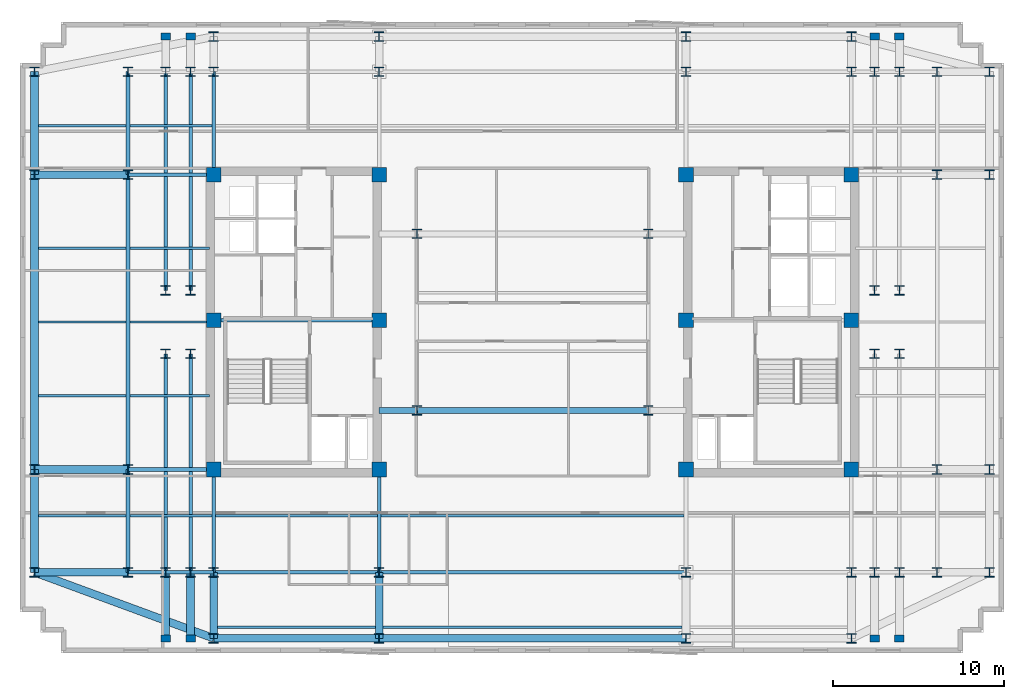
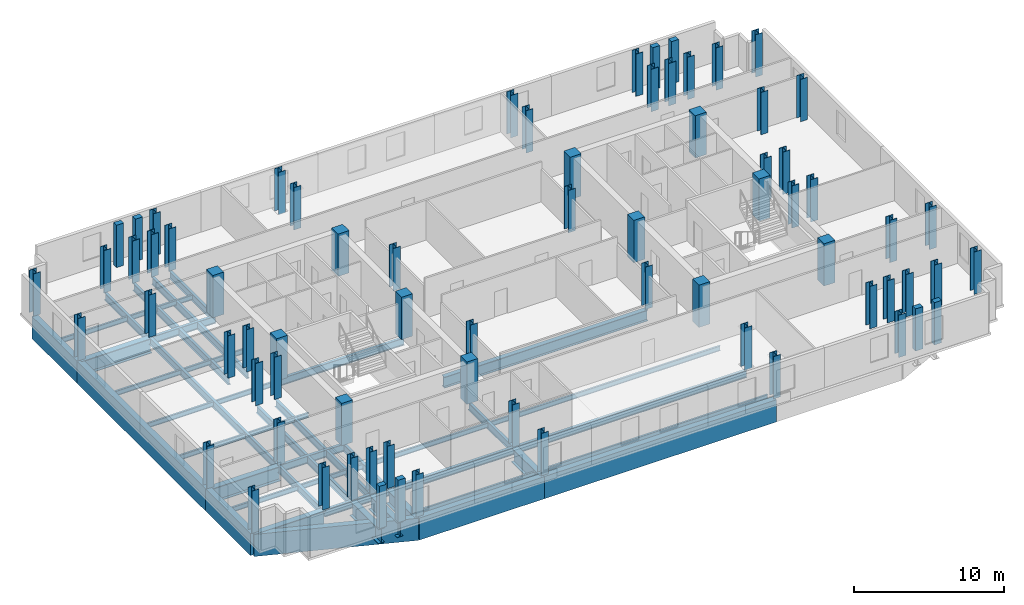
# One storey, part 1 of 9: 72 columns, 45 beams.
"""IFC4 building model written with IfcOpenShell, lengths in metres."""

import ifcopenshell
import ifcopenshell.guid

model = None  # the IFC model being written
_history = None  # IfcOwnerHistory: only IFC2X3 demands one
_inside = {}  # id of a spatial element -> (the spatial element, [elements in it])
_under = {}  # id of a project, library or spatial element -> (it, [spatial elements below it])
_declared = {}  # id of a project -> (the project, [libraries it declares])
_typed = {}  # id of a type object -> (the type object, [elements of that type])
_made_of = {}  # id of a material, layer set ... -> (it, [elements and type objects made of it])


def new_model(schema):
    """Start an empty IFC model of exactly this schema.

    Asked for "IFC4X3", IfcOpenShell would pick the latest addendum, in which some entities
    have other attributes; the version numbers below select the first issue.
    IFC2X3 requires an IfcOwnerHistory on every rooted entity: one is made here for all.
    """
    global model, _history
    if schema == "IFC4X3":
        model = ifcopenshell.file(schema_version=(4, 3, 0, 0))
    else:
        model = ifcopenshell.file(schema=schema)
    _inside.clear()
    _under.clear()
    _declared.clear()
    _typed.clear()
    _made_of.clear()
    _history = None
    if model.schema == "IFC2X3":
        org = make("IfcOrganization", Name="unknown")
        user = make(
            "IfcPersonAndOrganization",
            ThePerson=make("IfcPerson", FamilyName="unknown"),
            TheOrganization=org,
        )
        app = make(
            "IfcApplication",
            ApplicationDeveloper=org,
            Version="unknown",
            ApplicationFullName="unknown",
            ApplicationIdentifier="unknown",
        )
        _history = make(
            "IfcOwnerHistory",
            OwningUser=user,
            OwningApplication=app,
            ChangeAction="ADDED",
            CreationDate=0,
        )
    return model


def make(cls, **values):
    """One entity of the class cls with the attributes given. An attribute that is None is left unset."""
    return model.create_entity(
        cls, **{name: value for name, value in values.items() if value is not None}
    )


def rooted(cls, **values):
    """An entity with a GlobalId (a new one), such as an element, a storey or a relation."""
    return make(cls, GlobalId=ifcopenshell.guid.new(), OwnerHistory=_history, **values)


def si_unit(unit_type, name, prefix=None):
    """IfcSIUnit, for example si_unit("LENGTHUNIT", "METRE", prefix="MILLI")."""
    return make("IfcSIUnit", UnitType=unit_type, Prefix=prefix, Name=name)


def assignment(units):
    """IfcUnitAssignment: the units of a project."""
    return None if units is None else make("IfcUnitAssignment", Units=units)


def point(xyz):
    """IfcCartesianPoint."""
    return None if xyz is None else make("IfcCartesianPoint", Coordinates=xyz)


def direction(xyz):
    """IfcDirection."""
    return None if xyz is None else make("IfcDirection", DirectionRatios=xyz)


def frame(location, z_axis=None, x_axis=None):
    """IfcAxis2Placement3D, a coordinate frame: its origin and axes. An axis left out is left unset."""
    return make(
        "IfcAxis2Placement3D",
        Location=point(location),
        Axis=direction(z_axis),
        RefDirection=direction(x_axis),
    )


def frame_2d(location, x_axis=None):
    """IfcAxis2Placement2D, a coordinate frame in the plane: its origin and x axis."""
    return make(
        "IfcAxis2Placement2D", Location=point(location), RefDirection=direction(x_axis)
    )


def origin():
    """The frame at (0, 0, 0) with its axes left unset."""
    return frame((0.0, 0.0, 0.0))


def origin_2d():
    """The frame at (0, 0) in the plane with its x axis left unset."""
    return frame_2d((0.0, 0.0))


def place(relative_to, where):
    """IfcLocalPlacement: puts the frame where relative to a parent placement (None: the world)."""
    return make(
        "IfcLocalPlacement", PlacementRelTo=relative_to, RelativePlacement=where
    )


def context(
    kind, dimensions, precision=None, world=None, true_north=None, identifier=None
):
    """IfcGeometricRepresentationContext, for example the 3D "Model" context."""
    return make(
        "IfcGeometricRepresentationContext",
        ContextIdentifier=identifier,
        ContextType=kind,
        CoordinateSpaceDimension=dimensions,
        Precision=precision,
        WorldCoordinateSystem=world,
        TrueNorth=true_north,
    )


def subcontext(parent, identifier, kind, view, scale=None):
    """IfcGeometricRepresentationSubContext, for example "Body" below "Model"."""
    return make(
        "IfcGeometricRepresentationSubContext",
        ContextIdentifier=identifier,
        ContextType=kind,
        ParentContext=parent,
        TargetScale=scale,
        TargetView=view,
    )


def project(units=None, contexts=None):
    """IfcProject with its units and contexts."""
    return rooted(
        "IfcProject",
        Name="project",
        RepresentationContexts=contexts,
        UnitsInContext=assignment(units),
    )


def spatial(cls, under=None, at=None, **own):
    """A site, building, storey or space (cls), placed at a placement, below another one or the project."""
    s = rooted(cls, ObjectPlacement=at, **own)
    if under is not None:
        _under.setdefault(under.id(), (under, []))[1].append(s)
    return s


def profile(cls, at=None, kind="AREA", **sizes):
    """A parametric profile (cls). Its sizes go by their IFC names, for example OverallWidth=200.0."""
    return make(cls, ProfileType=kind, Position=at, **sizes)


def rectangle(**sizes):
    """IfcRectangleProfileDef."""
    return profile("IfcRectangleProfileDef", **sizes)


def i_section(**sizes):
    """IfcIShapeProfileDef."""
    return profile("IfcIShapeProfileDef", **sizes)


def extrude(swept, where, along, depth):
    """IfcExtrudedAreaSolid: the profile swept, set in the frame where, extruded along a direction by depth."""
    return make(
        "IfcExtrudedAreaSolid",
        SweptArea=swept,
        Position=where,
        ExtrudedDirection=direction(along),
        Depth=depth,
    )


def shape(context_of_items, identifier, shape_type, items):
    """IfcShapeRepresentation: the items that make up one representation, for example the "Body"."""
    return make(
        "IfcShapeRepresentation",
        ContextOfItems=context_of_items,
        RepresentationIdentifier=identifier,
        RepresentationType=shape_type,
        Items=items,
    )


def material(Name=None, Category=None):
    """IfcMaterial."""
    return make("IfcMaterial", Name=Name, Category=Category)


def material_profile(
    of_material, cross_section, Name=None, Category=None, Priority=None
):
    """IfcMaterialProfile: a cross section and its material."""
    return make(
        "IfcMaterialProfile",
        Name=Name,
        Material=of_material,
        Profile=cross_section,
        Priority=Priority,
        Category=Category,
    )


def profile_set(profiles, Name=None, composite=None):
    """IfcMaterialProfileSet."""
    return make(
        "IfcMaterialProfileSet",
        Name=Name,
        MaterialProfiles=profiles,
        CompositeProfile=composite,
    )


def made_of(thing, what):
    """Note that an element or type object is made of a material, layer set ...; save() writes the relation."""
    if what is not None:
        _made_of.setdefault(what.id(), (what, []))[1].append(thing)
    return thing


def type_object(cls, material=None, **own):
    """A type object (cls), such as IfcWallType, which elements share."""
    return made_of(rooted(cls, **own), material)


def element(
    cls,
    number,
    at=None,
    inside=None,
    cuts=None,
    type_object=None,
    material=None,
    context=None,
    identifier="Body",
    shape_type=None,
    held_by="IfcProductDefinitionShape",
    body=None,
    shapes=None,
    **own,
):
    """One element of the class cls, such as IfcWall. Its Tag is "e" and its number.

    at: its placement. inside: the storey or other place that contains it. cuts: it is an
    opening in that element (IfcRelVoidsElement). A single representation is given by context,
    identifier, shape_type and body (its items); several are given by shapes. held_by: the class
    of the entity that holds the representations. save() writes the other relations.
    """
    e = rooted(cls, Tag="e%d" % number, ObjectPlacement=at, **own)
    if body is not None:
        shapes = [shape(context, identifier, shape_type, body)]
    if shapes is not None:
        e.Representation = make(held_by, Representations=shapes)
    if inside is not None:
        _inside.setdefault(inside.id(), (inside, []))[1].append(e)
    if cuts is not None:
        rooted(
            "IfcRelVoidsElement", RelatingBuildingElement=cuts, RelatedOpeningElement=e
        )
    if type_object is not None:
        _typed.setdefault(type_object.id(), (type_object, []))[1].append(e)
    return made_of(e, material)


def aggregate(whole, parts):
    """IfcRelAggregates: a whole, such as a stair, and the parts it consists of."""
    return rooted("IfcRelAggregates", RelatingObject=whole, RelatedObjects=parts)


def save(model, path):
    """Write the relations noted so far, then the file.

    IfcRelAggregates (storeys below a building ...), IfcRelContainedInSpatialStructure (elements
    in a storey), IfcRelDefinesByType, IfcRelAssociatesMaterial and IfcRelDeclares: one each for
    every whole, place, type object, material and project.
    """
    for whole, parts in _under.values():
        aggregate(whole, parts)
    for where, things in _inside.values():
        rooted(
            "IfcRelContainedInSpatialStructure",
            RelatedElements=things,
            RelatingStructure=where,
        )
    for kind, things in _typed.values():
        rooted("IfcRelDefinesByType", RelatedObjects=things, RelatingType=kind)
    for what, things in _made_of.values():
        rooted("IfcRelAssociatesMaterial", RelatedObjects=things, RelatingMaterial=what)
    for by, libraries in _declared.values():
        rooted("IfcRelDeclares", RelatingContext=by, RelatedDefinitions=libraries)
    model.write(path)


model = new_model("IFC4")

# Units and contexts
model_context = context("Model", 3, precision=1e-05, world=origin(), true_north=direction((0.0, 1.0)))
body_context = subcontext(model_context, "Body", "Model", "MODEL_VIEW")
ifc_project = project(units=[si_unit("LENGTHUNIT", "METRE"), si_unit("AREAUNIT", "SQUARE_METRE"), si_unit("VOLUMEUNIT", "CUBIC_METRE"), si_unit("PLANEANGLEUNIT", "RADIAN"), si_unit("MASSUNIT", "GRAM", prefix="KILO")], contexts=[model_context])

# Site, building, storey
site_placement = place(None, origin())
site = spatial("IfcSite", under=ifc_project, at=site_placement, CompositionType="ELEMENT")
building_placement = place(site_placement, origin())
building = spatial("IfcBuilding", under=site, at=building_placement, Name="Velakula Bourse", CompositionType="ELEMENT")
storey_placement = place(building_placement, frame((0.0, 0.0, 208.5)))
storey = spatial("IfcBuildingStorey", under=building, at=storey_placement, Name="L56", CompositionType="ELEMENT", Elevation=208.5)

# Columns
ifc_material_1 = material(Name="Concrete M50 (fck 50 MPa)", Category="concrete")
ifc_material_profile_1 = material_profile(ifc_material_1, rectangle(XDim=0.85009765625, YDim=0.85009765625, at=origin_2d()), Name="Concrete M50 (fck 50 MPa)")
ifc_profile_set_1 = profile_set([ifc_material_profile_1], Name="Concrete M50 (fck 50 MPa)")
column_type_1 = type_object("IfcColumnType", Name="COL-RC-850", PredefinedType="COLUMN", material=ifc_profile_set_1)
for number, where, z_axis, x_axis, name in (
    (1, (-8.949951171875, -8.60009765625, 0.0), (0.0, 0.0, 1.0), (1.0, 0.0, 0.0), "L56 Core Boundary Column 01"),
    (2, (-8.949951171875, 0.10009765625, 0.0), (0.0, 0.0, 1.0), (1.0, 0.0, 0.0), "L56 Core Boundary Column 02"),
    (3, (-8.949951171875, 8.60009765625, 0.0), (0.0, 0.0, 1.0), (1.0, 0.0, 0.0), "L56 Core Boundary Column 03"),
    (4, (-18.60009765625, -8.60009765625, 0.0), (0.0, 0.0, 1.0), (1.0, 0.0, 0.0), "L56 Core Boundary Column 04"),
    (5, (-18.60009765625, 0.10009765625, 0.0), (0.0, 0.0, 1.0), (1.0, 0.0, 0.0), "L56 Core Boundary Column 05"),
    (6, (-18.60009765625, 8.60009765625, 0.0), (0.0, 0.0, 1.0), (1.0, 0.0, 0.0), "L56 Core Boundary Column 06"),
    (7, (8.949951171875, -8.60009765625, 0.0), (0.0, 0.0, 1.0), (1.0, 0.0, 0.0), "L56 Core Boundary Column 07"),
    (8, (8.949951171875, 0.10009765625, 0.0), (0.0, 0.0, 1.0), (1.0, 0.0, 0.0), "L56 Core Boundary Column 08"),
    (9, (8.949951171875, 8.60009765625, 0.0), (0.0, 0.0, 1.0), (1.0, 0.0, 0.0), "L56 Core Boundary Column 09"),
    (10, (18.60009765625, -8.60009765625, 0.0), (0.0, 0.0, 1.0), (1.0, 0.0, 0.0), "L56 Core Boundary Column 10"),
    (11, (18.60009765625, 0.10009765625, 0.0), (0.0, 0.0, 1.0), (1.0, 0.0, 0.0), "L56 Core Boundary Column 11"),
    (12, (18.60009765625, 8.60009765625, 0.0), (0.0, 0.0, 1.0), (1.0, 0.0, 0.0), "L56 Core Boundary Column 12"),
):
    element("IfcColumn", number, at=place(storey_placement, frame(where, z_axis=z_axis, x_axis=x_axis)), inside=storey, type_object=column_type_1, Name=name, PredefinedType="COLUMN", context=body_context, shape_type="SweptSolid", body=[
        extrude(rectangle(XDim=0.85009765625, YDim=0.85009765625, at=origin_2d()), origin(), (0.0, 0.0, 1.0), 3.449951171875),
    ])
ifc_material_2 = material(Name="Steel IS 2062 Grade 350 (E350)", Category="steel")
ifc_material_profile_2 = material_profile(ifc_material_2, i_section(OverallWidth=0.550048828125, OverallDepth=0.550048828125, WebThickness=0.02392578125, FlangeThickness=0.035888671875, at=origin_2d()), Name="Steel IS 2062 Grade 350 (E350)")
ifc_profile_set_2 = profile_set([ifc_material_profile_2], Name="Steel IS 2062 Grade 350 (E350)")
column_type_2 = type_object("IfcColumnType", Name="COL-STL-550", PredefinedType="COLUMN", material=ifc_profile_set_2)
for number, where, z_axis, x_axis, name in (
    (13, (-6.75, -5.14990234375, 0.0), (0.0, 0.0, 1.0), (1.0, 0.0, 0.0), "L56 Central Spine Column 01"),
    (14, (-6.75, 5.14990234375, 0.0), (0.0, 0.0, 1.0), (1.0, 0.0, 0.0), "L56 Central Spine Column 02"),
    (15, (6.75, -5.14990234375, 0.0), (0.0, 0.0, 1.0), (1.0, 0.0, 0.0), "L56 Central Spine Column 03"),
    (16, (6.75, 5.14990234375, 0.0), (0.0, 0.0, 1.0), (1.0, 0.0, 0.0), "L56 Central Spine Column 04"),
    (17, (-21.39990234375, -14.60009765625, 0.0), (0.0, 0.0, 1.0), (1.0, 0.0, 0.0), "L56 Tower Fulcrum Column 01"),
    (18, (-21.39990234375, 14.60009765625, 0.0), (0.0, 0.0, 1.0), (1.0, 0.0, 0.0), "L56 Tower Fulcrum Column 02"),
    (19, (-19.949951171875, -14.60009765625, 0.0), (0.0, 0.0, 1.0), (1.0, 0.0, 0.0), "L56 Tower Fulcrum Column 03"),
    (20, (-19.949951171875, 14.60009765625, 0.0), (0.0, 0.0, 1.0), (1.0, 0.0, 0.0), "L56 Tower Fulcrum Column 04"),
    (21, (-18.60009765625, -14.60009765625, 0.0), (0.0, 0.0, 1.0), (1.0, 0.0, 0.0), "L56 Tower Fulcrum Column 05"),
    (22, (-18.60009765625, 14.60009765625, 0.0), (0.0, 0.0, 1.0), (1.0, 0.0, 0.0), "L56 Tower Fulcrum Column 06"),
    (23, (-8.949951171875, -14.60009765625, 0.0), (0.0, 0.0, 1.0), (1.0, 0.0, 0.0), "L56 Tower Fulcrum Column 07"),
    (24, (-8.949951171875, 14.60009765625, 0.0), (0.0, 0.0, 1.0), (1.0, 0.0, 0.0), "L56 Tower Fulcrum Column 08"),
    (25, (8.949951171875, -14.60009765625, 0.0), (0.0, 0.0, 1.0), (1.0, 0.0, 0.0), "L56 Tower Fulcrum Column 09"),
    (26, (8.949951171875, 14.60009765625, 0.0), (0.0, 0.0, 1.0), (1.0, 0.0, 0.0), "L56 Tower Fulcrum Column 10"),
    (27, (18.60009765625, -14.60009765625, 0.0), (0.0, 0.0, 1.0), (1.0, 0.0, 0.0), "L56 Tower Fulcrum Column 11"),
    (28, (18.60009765625, 14.60009765625, 0.0), (0.0, 0.0, 1.0), (1.0, 0.0, 0.0), "L56 Tower Fulcrum Column 12"),
    (29, (19.949951171875, -14.60009765625, 0.0), (0.0, 0.0, 1.0), (1.0, 0.0, 0.0), "L56 Tower Fulcrum Column 13"),
    (30, (19.949951171875, 14.60009765625, 0.0), (0.0, 0.0, 1.0), (1.0, 0.0, 0.0), "L56 Tower Fulcrum Column 14"),
    (31, (21.39990234375, -14.60009765625, 0.0), (0.0, 0.0, 1.0), (1.0, 0.0, 0.0), "L56 Tower Fulcrum Column 15"),
    (32, (21.39990234375, 14.60009765625, 0.0), (0.0, 0.0, 1.0), (1.0, 0.0, 0.0), "L56 Tower Fulcrum Column 16"),
    (33, (-21.39990234375, -1.85009765625, 0.0), (0.0, 0.0, 1.0), (1.0, 0.0, 0.0), "L56 Tower Fulcrum Column 17"),
    (34, (-21.39990234375, 1.85009765625, 0.0), (0.0, 0.0, 1.0), (1.0, 0.0, 0.0), "L56 Tower Fulcrum Column 18"),
    (35, (-19.949951171875, -1.85009765625, 0.0), (0.0, 0.0, 1.0), (1.0, 0.0, 0.0), "L56 Tower Fulcrum Column 19"),
    (36, (-19.949951171875, 1.85009765625, 0.0), (0.0, 0.0, 1.0), (1.0, 0.0, 0.0), "L56 Tower Fulcrum Column 20"),
    (37, (19.949951171875, -1.85009765625, 0.0), (0.0, 0.0, 1.0), (1.0, 0.0, 0.0), "L56 Tower Fulcrum Column 21"),
    (38, (19.949951171875, 1.85009765625, 0.0), (0.0, 0.0, 1.0), (1.0, 0.0, 0.0), "L56 Tower Fulcrum Column 22"),
    (39, (21.39990234375, -1.85009765625, 0.0), (0.0, 0.0, 1.0), (1.0, 0.0, 0.0), "L56 Tower Fulcrum Column 23"),
    (40, (21.39990234375, 1.85009765625, 0.0), (0.0, 0.0, 1.0), (1.0, 0.0, 0.0), "L56 Tower Fulcrum Column 24"),
    (41, (-23.60009765625, -14.60009765625, 0.0), (0.0, 0.0, 1.0), (1.0, 0.0, 0.0), "L56 Mid-Wing Plumb Column 01"),
    (42, (-23.60009765625, -8.60009765625, 0.0), (0.0, 0.0, 1.0), (1.0, 0.0, 0.0), "L56 Mid-Wing Plumb Column 02"),
    (43, (-23.60009765625, 8.60009765625, 0.0), (0.0, 0.0, 1.0), (1.0, 0.0, 0.0), "L56 Mid-Wing Plumb Column 03"),
    (44, (-23.60009765625, 14.60009765625, 0.0), (0.0, 0.0, 1.0), (1.0, 0.0, 0.0), "L56 Mid-Wing Plumb Column 04"),
    (45, (23.60009765625, -14.60009765625, 0.0), (0.0, 0.0, 1.0), (1.0, 0.0, 0.0), "L56 Mid-Wing Plumb Column 05"),
    (46, (23.60009765625, -8.60009765625, 0.0), (0.0, 0.0, 1.0), (1.0, 0.0, 0.0), "L56 Mid-Wing Plumb Column 06"),
    (47, (23.60009765625, 8.60009765625, 0.0), (0.0, 0.0, 1.0), (1.0, 0.0, 0.0), "L56 Mid-Wing Plumb Column 07"),
    (48, (23.60009765625, 14.60009765625, 0.0), (0.0, 0.0, 1.0), (1.0, 0.0, 0.0), "L56 Mid-Wing Plumb Column 08"),
    (49, (-18.60009765625, -18.449951171875, 0.0), (0.0, 0.0, 1.0), (1.0, 0.0, 0.0), "L56 Block B5 Perimeter Column S1"),
    (50, (-8.949951171875, -18.449951171875, 0.0), (0.0, 0.0, 1.0), (1.0, 0.0, 0.0), "L56 Block B5 Perimeter Column S2"),
    (51, (8.949951171875, -18.449951171875, 0.0), (0.0, 0.0, 1.0), (1.0, 0.0, 0.0), "L56 Block B5 Perimeter Column S3"),
    (52, (18.60009765625, -18.449951171875, 0.0), (0.0, 0.0, 1.0), (1.0, 0.0, 0.0), "L56 Block B5 Perimeter Column S4"),
    (53, (-18.60009765625, 16.64990234375, 0.0), (0.0, 0.0, 1.0), (1.0, 0.0, 0.0), "L56 Block B5 Perimeter Column N1"),
    (54, (-8.949951171875, 16.64990234375, 0.0), (0.0, 0.0, 1.0), (1.0, 0.0, 0.0), "L56 Block B5 Perimeter Column N2"),
    (55, (8.949951171875, 16.64990234375, 0.0), (0.0, 0.0, 1.0), (1.0, 0.0, 0.0), "L56 Block B5 Perimeter Column N3"),
    (56, (18.60009765625, 16.64990234375, 0.0), (0.0, 0.0, 1.0), (1.0, 0.0, 0.0), "L56 Block B5 Perimeter Column N4"),
    (57, (-29.050048828125, -14.60009765625, 0.0), (0.0, 0.0, 1.0), (1.0, 0.0, 0.0), "L56 Block B5 Perimeter Column W1"),
    (58, (-29.050048828125, -8.60009765625, 0.0), (0.0, 0.0, 1.0), (1.0, 0.0, 0.0), "L56 Block B5 Perimeter Column W2"),
    (59, (-29.050048828125, 8.60009765625, 0.0), (0.0, 0.0, 1.0), (1.0, 0.0, 0.0), "L56 Block B5 Perimeter Column W3"),
    (60, (-29.050048828125, 14.60009765625, 0.0), (0.0, 0.0, 1.0), (1.0, 0.0, 0.0), "L56 Block B5 Perimeter Column W4"),
    (61, (26.64990234375, -14.60009765625, 0.0), (0.0, 0.0, 1.0), (1.0, 0.0, 0.0), "L56 Block B5 Perimeter Column E1"),
    (62, (26.64990234375, -8.60009765625, 0.0), (0.0, 0.0, 1.0), (1.0, 0.0, 0.0), "L56 Block B5 Perimeter Column E2"),
    (63, (26.64990234375, 8.60009765625, 0.0), (0.0, 0.0, 1.0), (1.0, 0.0, 0.0), "L56 Block B5 Perimeter Column E3"),
    (64, (26.64990234375, 14.60009765625, 0.0), (0.0, 0.0, 1.0), (1.0, 0.0, 0.0), "L56 Block B5 Perimeter Column E4"),
):
    element("IfcColumn", number, at=place(storey_placement, frame(where, z_axis=z_axis, x_axis=x_axis)), inside=storey, type_object=column_type_2, Name=name, PredefinedType="COLUMN", context=body_context, shape_type="SweptSolid", body=[
        extrude(i_section(OverallWidth=0.550048828125, OverallDepth=0.550048828125, WebThickness=0.02392578125, FlangeThickness=0.035888671875, at=origin_2d()), origin(), (0.0, 0.0, 1.0), 3.449951171875),
    ])
ifc_material_3 = material(Name="Precast concrete M45 (fck 45 MPa)", Category="concrete")
ifc_material_profile_3 = material_profile(ifc_material_3, rectangle(XDim=0.550048828125, YDim=0.39990234375, at=origin_2d()), Name="Precast concrete M45 (fck 45 MPa)")
ifc_profile_set_3 = profile_set([ifc_material_profile_3], Name="Precast concrete M45 (fck 45 MPa)")
column_type_3 = type_object("IfcColumnType", Name="PIL-BRICK-550", PredefinedType="PILASTER", material=ifc_profile_set_3)
for number, where, z_axis, x_axis, name in (
    (65, (-21.39990234375, -18.449951171875, 0.0), (0.0, 0.0, 1.0), (1.0, 0.0, 0.0), "L56 Brick Pier Pilaster 01"),
    (66, (-19.949951171875, -18.449951171875, 0.0), (0.0, 0.0, 1.0), (1.0, 0.0, 0.0), "L56 Brick Pier Pilaster 02"),
    (67, (19.949951171875, -18.449951171875, 0.0), (0.0, 0.0, 1.0), (1.0, 0.0, 0.0), "L56 Brick Pier Pilaster 03"),
    (68, (21.39990234375, -18.449951171875, 0.0), (0.0, 0.0, 1.0), (1.0, 0.0, 0.0), "L56 Brick Pier Pilaster 04"),
    (69, (-21.39990234375, 16.64990234375, 0.0), (0.0, 0.0, 1.0), (1.0, 0.0, 0.0), "L56 Brick Pier Pilaster 05"),
    (70, (-19.949951171875, 16.64990234375, 0.0), (0.0, 0.0, 1.0), (1.0, 0.0, 0.0), "L56 Brick Pier Pilaster 06"),
    (71, (19.949951171875, 16.64990234375, 0.0), (0.0, 0.0, 1.0), (1.0, 0.0, 0.0), "L56 Brick Pier Pilaster 07"),
    (72, (21.39990234375, 16.64990234375, 0.0), (0.0, 0.0, 1.0), (1.0, 0.0, 0.0), "L56 Brick Pier Pilaster 08"),
):
    element("IfcColumn", number, at=place(storey_placement, frame(where, z_axis=z_axis, x_axis=x_axis)), inside=storey, type_object=column_type_3, Name=name, PredefinedType="PILASTER", context=body_context, shape_type="SweptSolid", body=[
        extrude(rectangle(XDim=0.550048828125, YDim=0.39990234375, at=origin_2d()), origin(), (0.0, 0.0, 1.0), 3.449951171875),
    ])

# Beams
ifc_material_profile_4 = material_profile(ifc_material_2, i_section(OverallWidth=0.2099609375, OverallDepth=0.60009765625, WebThickness=0.011962890625, FlangeThickness=0.020751953125, at=origin_2d()), Name="Steel IS 2062 Grade 350 (E350)")
ifc_profile_set_4 = profile_set([ifc_material_profile_4], Name="Steel IS 2062 Grade 350 (E350)")
beam_type_1 = type_object("IfcBeamType", Name="BM-GRD-600L", PredefinedType="BEAM", material=ifc_profile_set_4)
beam_1_placement = place(storey_placement, frame((-18.60009765625, 0.10009765625, -0.47998046875), z_axis=(1.0, 0.0, 0.0), x_axis=(0.0, 1.0, 0.0)))
element("IfcBeam", 73, at=beam_1_placement, inside=storey, type_object=beam_type_1, Name="L56 Primary Backbone Girder CRW-M", PredefinedType="BEAM", context=body_context, shape_type="SweptSolid", body=[
    extrude(i_section(OverallWidth=0.2099609375, OverallDepth=0.60009765625, WebThickness=0.011962890625, FlangeThickness=0.020751953125, at=origin_2d()), origin(), (0.0, 0.0, 1.0), 9.650146484375),
])
for number, where, z_axis, x_axis, name in (
    (74, (-18.60009765625, -14.60009765625, -0.47998046875), (0.0, 1.0, 0.0), (-1.0, 0.0, 0.0), "L56 Fulcrum Grid Girder FLC-WS"),
    (75, (-18.60009765625, 8.60009765625, -0.47998046875), (0.0, 1.0, 0.0), (-1.0, 0.0, 0.0), "L56 Fulcrum Grid Girder FLC-WN"),
    (76, (-8.949951171875, -14.60009765625, -0.47998046875), (0.0, 1.0, 0.0), (-1.0, 0.0, 0.0), "L56 Fulcrum Grid Girder FLC-WCS"),
):
    element("IfcBeam", number, at=place(storey_placement, frame(where, z_axis=z_axis, x_axis=x_axis)), inside=storey, type_object=beam_type_1, Name=name, PredefinedType="BEAM", context=body_context, shape_type="SweptSolid", body=[
        extrude(i_section(OverallWidth=0.2099609375, OverallDepth=0.60009765625, WebThickness=0.011962890625, FlangeThickness=0.020751953125, at=origin_2d()), origin(), (0.0, 0.0, 1.0), 6.0),
    ])
beam_2_placement = place(storey_placement, frame((-18.60009765625, -14.60009765625, -0.47998046875), z_axis=(1.0, 0.0, 0.0), x_axis=(0.0, 1.0, 0.0)))
element("IfcBeam", 77, at=beam_2_placement, inside=storey, type_object=beam_type_1, Name="L56 Fulcrum Grid Girder FLC-S1", PredefinedType="BEAM", context=body_context, shape_type="SweptSolid", body=[
    extrude(i_section(OverallWidth=0.2099609375, OverallDepth=0.60009765625, WebThickness=0.011962890625, FlangeThickness=0.020751953125, at=origin_2d()), origin(), (0.0, 0.0, 1.0), 9.650146484375),
])
beam_3_placement = place(storey_placement, frame((-8.949951171875, -14.60009765625, -0.47998046875), z_axis=(1.0, 0.0, 0.0), x_axis=(0.0, 1.0, 0.0)))
element("IfcBeam", 78, at=beam_3_placement, inside=storey, type_object=beam_type_1, Name="L56 Fulcrum Grid Girder FLC-S2", PredefinedType="BEAM", context=body_context, shape_type="SweptSolid", body=[
    extrude(i_section(OverallWidth=0.2099609375, OverallDepth=0.60009765625, WebThickness=0.011962890625, FlangeThickness=0.020751953125, at=origin_2d()), origin(), (0.0, 0.0, 1.0), 17.89990234375),
])
for number, where, z_axis, x_axis, name in (
    (79, (-21.39990234375, -14.60009765625, -0.47998046875), (0.0, 1.0, 0.0), (-1.0, 0.0, 0.0), "L56 Fulcrum Grid Girder FLC-PSW1"),
    (80, (-21.39990234375, 1.85009765625, -0.47998046875), (0.0, 1.0, 0.0), (-1.0, 0.0, 0.0), "L56 Fulcrum Grid Girder FLC-PNW1"),
    (81, (-19.949951171875, -14.60009765625, -0.47998046875), (0.0, 1.0, 0.0), (-1.0, 0.0, 0.0), "L56 Fulcrum Grid Girder FLC-PSW2"),
    (82, (-19.949951171875, 1.85009765625, -0.47998046875), (0.0, 1.0, 0.0), (-1.0, 0.0, 0.0), "L56 Fulcrum Grid Girder FLC-PNW2"),
):
    element("IfcBeam", number, at=place(storey_placement, frame(where, z_axis=z_axis, x_axis=x_axis)), inside=storey, type_object=beam_type_1, Name=name, PredefinedType="BEAM", context=body_context, shape_type="SweptSolid", body=[
        extrude(i_section(OverallWidth=0.2099609375, OverallDepth=0.60009765625, WebThickness=0.011962890625, FlangeThickness=0.020751953125, at=origin_2d()), origin(), (0.0, 0.0, 1.0), 12.75),
    ])
for number, where, z_axis, x_axis, name in (
    (83, (-23.60009765625, -14.60009765625, -0.47998046875), (1.0, 0.0, 0.0), (0.0, 1.0, 0.0), "L56 Fulcrum Grid Girder MWG-WS1"),
    (84, (-23.60009765625, -8.60009765625, -0.47998046875), (1.0, 0.0, 0.0), (0.0, 1.0, 0.0), "L56 Fulcrum Grid Girder MWG-WS2"),
    (85, (-23.60009765625, 8.60009765625, -0.47998046875), (1.0, 0.0, 0.0), (0.0, 1.0, 0.0), "L56 Fulcrum Grid Girder MWG-WN1"),
):
    element("IfcBeam", number, at=place(storey_placement, frame(where, z_axis=z_axis, x_axis=x_axis)), inside=storey, type_object=beam_type_1, Name=name, PredefinedType="BEAM", context=body_context, shape_type="SweptSolid", body=[
        extrude(i_section(OverallWidth=0.2099609375, OverallDepth=0.60009765625, WebThickness=0.011962890625, FlangeThickness=0.020751953125, at=origin_2d()), origin(), (0.0, 0.0, 1.0), 5.0),
    ])
beam_4_placement = place(storey_placement, frame((-23.60009765625, -14.60009765625, -0.47998046875), z_axis=(0.0, 1.0, 0.0), x_axis=(-1.0, 0.0, 0.0)))
element("IfcBeam", 86, at=beam_4_placement, inside=storey, type_object=beam_type_1, Name="L56 Fulcrum Grid Girder MWG-WNS1", PredefinedType="BEAM", context=body_context, shape_type="SweptSolid", body=[
    extrude(i_section(OverallWidth=0.2099609375, OverallDepth=0.60009765625, WebThickness=0.011962890625, FlangeThickness=0.020751953125, at=origin_2d()), origin(), (0.0, 0.0, 1.0), 6.0),
])
beam_5_placement = place(storey_placement, frame((-23.60009765625, -8.60009765625, -0.47998046875), z_axis=(0.0, 1.0, 0.0), x_axis=(-1.0, 0.0, 0.0)))
element("IfcBeam", 87, at=beam_5_placement, inside=storey, type_object=beam_type_1, Name="L56 Fulcrum Grid Girder MWG-WNS2", PredefinedType="BEAM", context=body_context, shape_type="SweptSolid", body=[
    extrude(i_section(OverallWidth=0.2099609375, OverallDepth=0.60009765625, WebThickness=0.011962890625, FlangeThickness=0.020751953125, at=origin_2d()), origin(), (0.0, 0.0, 1.0), 17.2001953125),
])
beam_6_placement = place(storey_placement, frame((-23.60009765625, 8.60009765625, -0.47998046875), z_axis=(0.0, 1.0, 0.0), x_axis=(-1.0, 0.0, 0.0)))
element("IfcBeam", 88, at=beam_6_placement, inside=storey, type_object=beam_type_1, Name="L56 Fulcrum Grid Girder MWG-WNS3", PredefinedType="BEAM", context=body_context, shape_type="SweptSolid", body=[
    extrude(i_section(OverallWidth=0.2099609375, OverallDepth=0.60009765625, WebThickness=0.011962890625, FlangeThickness=0.020751953125, at=origin_2d()), origin(), (0.0, 0.0, 1.0), 6.0),
])
ifc_material_profile_5 = material_profile(ifc_material_2, i_section(OverallWidth=0.35009765625, OverallDepth=0.89990234375, WebThickness=0.02001953125, FlangeThickness=0.031982421875, at=origin_2d()), Name="Steel IS 2062 Grade 350 (E350)")
ifc_profile_set_5 = profile_set([ifc_material_profile_5], Name="Steel IS 2062 Grade 350 (E350)")
beam_type_2 = type_object("IfcBeamType", Name="BM-LNK-900", PredefinedType="BEAM", material=ifc_profile_set_5)
beam_7_placement = place(storey_placement, frame((-8.949951171875, -5.14990234375, -0.6298828125), z_axis=(1.0, 0.0, 0.0), x_axis=(0.0, 1.0, 0.0)))
element("IfcBeam", 89, at=beam_7_placement, inside=storey, type_object=beam_type_2, Name="L56 Primary Backbone Girder LNK-S1", PredefinedType="BEAM", context=body_context, shape_type="SweptSolid", body=[
    extrude(i_section(OverallWidth=0.35009765625, OverallDepth=0.89990234375, WebThickness=0.02001953125, FlangeThickness=0.031982421875, at=origin_2d()), origin(), (0.0, 0.0, 1.0), 2.199951171875),
])
beam_8_placement = place(storey_placement, frame((-6.75, -5.14990234375, -0.6298828125), z_axis=(1.0, 0.0, 0.0), x_axis=(0.0, 1.0, 0.0)))
element("IfcBeam", 90, at=beam_8_placement, inside=storey, type_object=beam_type_2, Name="L56 Primary Backbone Girder LNK-S2", PredefinedType="BEAM", context=body_context, shape_type="SweptSolid", body=[
    extrude(i_section(OverallWidth=0.35009765625, OverallDepth=0.89990234375, WebThickness=0.02001953125, FlangeThickness=0.031982421875, at=origin_2d()), origin(), (0.0, 0.0, 1.0), 13.5),
])
ifc_material_profile_6 = material_profile(ifc_material_2, i_section(OverallWidth=0.139892578125, OverallDepth=0.39990234375, WebThickness=0.0087890625, FlangeThickness=0.01611328125, at=origin_2d()), Name="Steel IS 2062 Grade 350 (E350)")
ifc_profile_set_6 = profile_set([ifc_material_profile_6], Name="Steel IS 2062 Grade 350 (E350)")
beam_type_3 = type_object("IfcBeamType", Name="JST-TWR-400", PredefinedType="JOIST", material=ifc_profile_set_6)
beam_9_placement = place(storey_placement, frame((-18.375, -17.800048828125, -0.3798828125), z_axis=(1.0, 0.0, 0.0), x_axis=(0.0, 1.0, 0.0)))
element("IfcBeam", 91, at=beam_9_placement, inside=storey, type_object=beam_type_3, Name="L56 Trading Floor Composite Joist 01", PredefinedType="JOIST", context=body_context, shape_type="SweptSolid", body=[
    extrude(i_section(OverallWidth=0.139892578125, OverallDepth=0.39990234375, WebThickness=0.0087890625, FlangeThickness=0.01611328125, at=origin_2d()), origin(), (0.0, 0.0, 1.0), 9.199951171875),
])
beam_10_placement = place(storey_placement, frame((-8.72509765625, -17.800048828125, -0.3798828125), z_axis=(1.0, 0.0, 0.0), x_axis=(0.0, 1.0, 0.0)))
element("IfcBeam", 92, at=beam_10_placement, inside=storey, type_object=beam_type_3, Name="L56 Trading Floor Composite Joist 02", PredefinedType="JOIST", context=body_context, shape_type="SweptSolid", body=[
    extrude(i_section(OverallWidth=0.139892578125, OverallDepth=0.39990234375, WebThickness=0.0087890625, FlangeThickness=0.01611328125, at=origin_2d()), origin(), (0.0, 0.0, 1.0), 17.4501953125),
])
beam_11_placement = place(storey_placement, frame((-28.824951171875, -11.300048828125, -0.3798828125), z_axis=(1.0, 0.0, 0.0), x_axis=(0.0, 1.0, 0.0)))
element("IfcBeam", 93, at=beam_11_placement, inside=storey, type_object=beam_type_3, Name="L56 Trading Floor Composite Joist 04", PredefinedType="JOIST", context=body_context, shape_type="SweptSolid", body=[
    extrude(i_section(OverallWidth=0.139892578125, OverallDepth=0.39990234375, WebThickness=0.0087890625, FlangeThickness=0.01611328125, at=origin_2d()), origin(), (0.0, 0.0, 1.0), 5.119873046875),
])
beam_12_placement = place(storey_placement, frame((-23.4951171875, -11.300048828125, -0.3798828125), z_axis=(1.0, 0.0, 0.0), x_axis=(0.0, 1.0, 0.0)))
element("IfcBeam", 94, at=beam_12_placement, inside=storey, type_object=beam_type_3, Name="L56 Trading Floor Composite Joist 05", PredefinedType="JOIST", context=body_context, shape_type="SweptSolid", body=[
    extrude(i_section(OverallWidth=0.139892578125, OverallDepth=0.39990234375, WebThickness=0.0087890625, FlangeThickness=0.01611328125, at=origin_2d()), origin(), (0.0, 0.0, 1.0), 4.7900390625),
])
beam_13_placement = place(storey_placement, frame((-18.4951171875, -11.300048828125, -0.3798828125), z_axis=(1.0, 0.0, 0.0), x_axis=(0.0, 1.0, 0.0)))
element("IfcBeam", 95, at=beam_13_placement, inside=storey, type_object=beam_type_3, Name="L56 Trading Floor Composite Joist 06", PredefinedType="JOIST", context=body_context, shape_type="SweptSolid", body=[
    extrude(i_section(OverallWidth=0.139892578125, OverallDepth=0.39990234375, WebThickness=0.0087890625, FlangeThickness=0.01611328125, at=origin_2d()), origin(), (0.0, 0.0, 1.0), 9.440185546875),
])
beam_14_placement = place(storey_placement, frame((-8.844970703125, -11.300048828125, -0.3798828125), z_axis=(1.0, 0.0, 0.0), x_axis=(0.0, 1.0, 0.0)))
element("IfcBeam", 96, at=beam_14_placement, inside=storey, type_object=beam_type_3, Name="L56 Trading Floor Composite Joist 07", PredefinedType="JOIST", context=body_context, shape_type="SweptSolid", body=[
    extrude(i_section(OverallWidth=0.139892578125, OverallDepth=0.39990234375, WebThickness=0.0087890625, FlangeThickness=0.01611328125, at=origin_2d()), origin(), (0.0, 0.0, 1.0), 17.68994140625),
])
beam_15_placement = place(storey_placement, frame((-28.824951171875, 11.449951171875, -0.3798828125), z_axis=(1.0, 0.0, 0.0), x_axis=(0.0, 1.0, 0.0)))
element("IfcBeam", 97, at=beam_15_placement, inside=storey, type_object=beam_type_3, Name="L56 Trading Floor Composite Joist 11", PredefinedType="JOIST", context=body_context, shape_type="SweptSolid", body=[
    extrude(i_section(OverallWidth=0.139892578125, OverallDepth=0.39990234375, WebThickness=0.0087890625, FlangeThickness=0.01611328125, at=origin_2d()), origin(), (0.0, 0.0, 1.0), 5.119873046875),
])
beam_16_placement = place(storey_placement, frame((-23.4951171875, 11.449951171875, -0.3798828125), z_axis=(1.0, 0.0, 0.0), x_axis=(0.0, 1.0, 0.0)))
element("IfcBeam", 98, at=beam_16_placement, inside=storey, type_object=beam_type_3, Name="L56 Trading Floor Composite Joist 12", PredefinedType="JOIST", context=body_context, shape_type="SweptSolid", body=[
    extrude(i_section(OverallWidth=0.139892578125, OverallDepth=0.39990234375, WebThickness=0.0087890625, FlangeThickness=0.01611328125, at=origin_2d()), origin(), (0.0, 0.0, 1.0), 4.7900390625),
])
beam_17_placement = place(storey_placement, frame((-28.824951171875, -4.300048828125, -0.3798828125), z_axis=(1.0, 0.0, 0.0), x_axis=(0.0, 1.0, 0.0)))
element("IfcBeam", 99, at=beam_17_placement, inside=storey, type_object=beam_type_3, Name="L56 Trading Floor Composite Joist 20", PredefinedType="JOIST", context=body_context, shape_type="SweptSolid", body=[
    extrude(i_section(OverallWidth=0.139892578125, OverallDepth=0.39990234375, WebThickness=0.0087890625, FlangeThickness=0.01611328125, at=origin_2d()), origin(), (0.0, 0.0, 1.0), 5.119873046875),
])
beam_18_placement = place(storey_placement, frame((-23.4951171875, -4.300048828125, -0.3798828125), z_axis=(1.0, 0.0, 0.0), x_axis=(0.0, 1.0, 0.0)))
element("IfcBeam", 100, at=beam_18_placement, inside=storey, type_object=beam_type_3, Name="L56 Trading Floor Composite Joist 21", PredefinedType="JOIST", context=body_context, shape_type="SweptSolid", body=[
    extrude(i_section(OverallWidth=0.139892578125, OverallDepth=0.39990234375, WebThickness=0.0087890625, FlangeThickness=0.01611328125, at=origin_2d()), origin(), (0.0, 0.0, 1.0), 4.64501953125),
])
beam_19_placement = place(storey_placement, frame((-28.824951171875, 0.0, -0.3798828125), z_axis=(1.0, 0.0, 0.0), x_axis=(0.0, 1.0, 0.0)))
element("IfcBeam", 101, at=beam_19_placement, inside=storey, type_object=beam_type_3, Name="L56 Trading Floor Composite Joist 24", PredefinedType="JOIST", context=body_context, shape_type="SweptSolid", body=[
    extrude(i_section(OverallWidth=0.139892578125, OverallDepth=0.39990234375, WebThickness=0.0087890625, FlangeThickness=0.01611328125, at=origin_2d()), origin(), (0.0, 0.0, 1.0), 5.119873046875),
])
beam_20_placement = place(storey_placement, frame((-23.4951171875, 0.0, -0.3798828125), z_axis=(1.0, 0.0, 0.0), x_axis=(0.0, 1.0, 0.0)))
element("IfcBeam", 102, at=beam_20_placement, inside=storey, type_object=beam_type_3, Name="L56 Trading Floor Composite Joist 25", PredefinedType="JOIST", context=body_context, shape_type="SweptSolid", body=[
    extrude(i_section(OverallWidth=0.139892578125, OverallDepth=0.39990234375, WebThickness=0.0087890625, FlangeThickness=0.01611328125, at=origin_2d()), origin(), (0.0, 0.0, 1.0), 4.64501953125),
])
beam_21_placement = place(storey_placement, frame((-28.824951171875, 4.300048828125, -0.3798828125), z_axis=(1.0, 0.0, 0.0), x_axis=(0.0, 1.0, 0.0)))
element("IfcBeam", 103, at=beam_21_placement, inside=storey, type_object=beam_type_3, Name="L56 Trading Floor Composite Joist 28", PredefinedType="JOIST", context=body_context, shape_type="SweptSolid", body=[
    extrude(i_section(OverallWidth=0.139892578125, OverallDepth=0.39990234375, WebThickness=0.0087890625, FlangeThickness=0.01611328125, at=origin_2d()), origin(), (0.0, 0.0, 1.0), 5.119873046875),
])
beam_22_placement = place(storey_placement, frame((-23.4951171875, 4.300048828125, -0.3798828125), z_axis=(1.0, 0.0, 0.0), x_axis=(0.0, 1.0, 0.0)))
element("IfcBeam", 104, at=beam_22_placement, inside=storey, type_object=beam_type_3, Name="L56 Trading Floor Composite Joist 29", PredefinedType="JOIST", context=body_context, shape_type="SweptSolid", body=[
    extrude(i_section(OverallWidth=0.139892578125, OverallDepth=0.39990234375, WebThickness=0.0087890625, FlangeThickness=0.01611328125, at=origin_2d()), origin(), (0.0, 0.0, 1.0), 4.64501953125),
])
ifc_material_profile_7 = material_profile(ifc_material_1, rectangle(XDim=0.449951171875, YDim=1.800048828125, at=origin_2d()), Name="Concrete M50 (fck 50 MPa)")
ifc_profile_set_7 = profile_set([ifc_material_profile_7], Name="Concrete M50 (fck 50 MPa)")
beam_type_4 = type_object("IfcBeamType", Name="SPN-TRF-1800", PredefinedType="SPANDREL", material=ifc_profile_set_7)
beam_23_placement = place(storey_placement, frame((-18.60009765625, -18.449951171875, -1.080078125), z_axis=(1.0, 0.0, 0.0), x_axis=(0.0, 1.0, 0.0)))
element("IfcBeam", 105, at=beam_23_placement, inside=storey, type_object=beam_type_4, Name="L56 Brick-Faced Precast Spandrel S1-S2", PredefinedType="SPANDREL", context=body_context, shape_type="SweptSolid", body=[
    extrude(rectangle(XDim=0.449951171875, YDim=1.800048828125, at=origin_2d()), origin(), (0.0, 0.0, 1.0), 9.650146484375),
])
beam_24_placement = place(storey_placement, frame((-8.949951171875, -18.449951171875, -1.080078125), z_axis=(1.0, 0.0, 0.0), x_axis=(0.0, 1.0, 0.0)))
element("IfcBeam", 106, at=beam_24_placement, inside=storey, type_object=beam_type_4, Name="L56 Brick-Faced Precast Spandrel S2-S3", PredefinedType="SPANDREL", context=body_context, shape_type="SweptSolid", body=[
    extrude(rectangle(XDim=0.449951171875, YDim=1.800048828125, at=origin_2d()), origin(), (0.0, 0.0, 1.0), 17.89990234375),
])
beam_25_placement = place(storey_placement, frame((-29.050048828125, -14.60009765625, -1.080078125), z_axis=(0.0, 1.0, 0.0), x_axis=(-1.0, 0.0, 0.0)))
element("IfcBeam", 107, at=beam_25_placement, inside=storey, type_object=beam_type_4, Name="L56 Brick-Faced Precast Spandrel W1-W2", PredefinedType="SPANDREL", context=body_context, shape_type="SweptSolid", body=[
    extrude(rectangle(XDim=0.449951171875, YDim=1.800048828125, at=origin_2d()), origin(), (0.0, 0.0, 1.0), 6.0),
])
beam_26_placement = place(storey_placement, frame((-29.050048828125, -8.60009765625, -1.080078125), z_axis=(0.0, 1.0, 0.0), x_axis=(-1.0, 0.0, 0.0)))
element("IfcBeam", 108, at=beam_26_placement, inside=storey, type_object=beam_type_4, Name="L56 Brick-Faced Precast Spandrel W2-W3", PredefinedType="SPANDREL", context=body_context, shape_type="SweptSolid", body=[
    extrude(rectangle(XDim=0.449951171875, YDim=1.800048828125, at=origin_2d()), origin(), (0.0, 0.0, 1.0), 17.2001953125),
])
beam_27_placement = place(storey_placement, frame((-29.050048828125, 8.60009765625, -1.080078125), z_axis=(0.0, 1.0, 0.0), x_axis=(-1.0, 0.0, 0.0)))
element("IfcBeam", 109, at=beam_27_placement, inside=storey, type_object=beam_type_4, Name="L56 Brick-Faced Precast Spandrel W3-W4", PredefinedType="SPANDREL", context=body_context, shape_type="SweptSolid", body=[
    extrude(rectangle(XDim=0.449951171875, YDim=1.800048828125, at=origin_2d()), origin(), (0.0, 0.0, 1.0), 6.0),
])
beam_28_placement = place(storey_placement, frame((-29.050048828125, -14.60009765625, -1.080078125), z_axis=(0.93834685962, -0.34569519962, 0.0), x_axis=(0.34569519962, 0.93834685962, 0.0)))
element("IfcBeam", 110, at=beam_28_placement, inside=storey, type_object=beam_type_4, Name="L56 Brick-Faced Precast Spandrel W1-S1", PredefinedType="SPANDREL", context=body_context, shape_type="SweptSolid", body=[
    extrude(rectangle(XDim=0.449951171875, YDim=1.800048828125, at=origin_2d()), origin(), (0.0, 0.0, 1.0), 11.136474609375),
])
ifc_material_4 = material(Name="Steel IS 2062 Grade 450 (E450)", Category="steel")
ifc_material_profile_8 = material_profile(ifc_material_4, i_section(OverallWidth=0.449951171875, OverallDepth=1.199951171875, WebThickness=0.02587890625, FlangeThickness=0.0400390625, at=origin_2d()), Name="Steel IS 2062 Grade 450 (E450)")
ifc_profile_set_8 = profile_set([ifc_material_profile_8], Name="Steel IS 2062 Grade 450 (E450)")
beam_type_5 = type_object("IfcBeamType", Name="TB-CANT-1200", PredefinedType="BEAM", material=ifc_profile_set_8)
for number, where, z_axis, x_axis, name in (
    (111, (-18.60009765625, -14.60009765625, -0.780029296875), (0.0, -1.0, 0.0), (1.0, 0.0, 0.0), "L56 Perimeter Tie Girder S1"),
    (112, (-8.949951171875, -14.60009765625, -0.780029296875), (0.0, -1.0, 0.0), (1.0, 0.0, 0.0), "L56 Perimeter Tie Girder S2"),
):
    element("IfcBeam", number, at=place(storey_placement, frame(where, z_axis=z_axis, x_axis=x_axis)), inside=storey, type_object=beam_type_5, Name=name, PredefinedType="BEAM", context=body_context, shape_type="SweptSolid", body=[
        extrude(i_section(OverallWidth=0.449951171875, OverallDepth=1.199951171875, WebThickness=0.02587890625, FlangeThickness=0.0400390625, at=origin_2d()), origin(), (0.0, 0.0, 1.0), 3.849853515625),
    ])
for number, where, z_axis, x_axis, name in (
    (113, (-23.60009765625, -14.60009765625, -0.780029296875), (-1.0, 0.0, 0.0), (0.0, -1.0, 0.0), "L56 Perimeter Tie Girder W1"),
    (114, (-23.60009765625, -8.60009765625, -0.780029296875), (-1.0, 0.0, 0.0), (0.0, -1.0, 0.0), "L56 Perimeter Tie Girder W2"),
    (115, (-23.60009765625, 8.60009765625, -0.780029296875), (-1.0, 0.0, 0.0), (0.0, -1.0, 0.0), "L56 Perimeter Tie Girder W3"),
):
    element("IfcBeam", number, at=place(storey_placement, frame(where, z_axis=z_axis, x_axis=x_axis)), inside=storey, type_object=beam_type_5, Name=name, PredefinedType="BEAM", context=body_context, shape_type="SweptSolid", body=[
        extrude(i_section(OverallWidth=0.449951171875, OverallDepth=1.199951171875, WebThickness=0.02587890625, FlangeThickness=0.0400390625, at=origin_2d()), origin(), (0.0, 0.0, 1.0), 5.449951171875),
    ])
for number, where, z_axis, x_axis, name in (
    (116, (-21.39990234375, -14.60009765625, -0.780029296875), (0.0, -1.0, 0.0), (1.0, 0.0, 0.0), "L56 Perimeter Tie Girder P01"),
    (117, (-19.949951171875, -14.60009765625, -0.780029296875), (0.0, -1.0, 0.0), (1.0, 0.0, 0.0), "L56 Perimeter Tie Girder P02"),
):
    element("IfcBeam", number, at=place(storey_placement, frame(where, z_axis=z_axis, x_axis=x_axis)), inside=storey, type_object=beam_type_5, Name=name, PredefinedType="BEAM", context=body_context, shape_type="SweptSolid", body=[
        extrude(i_section(OverallWidth=0.449951171875, OverallDepth=1.199951171875, WebThickness=0.02587890625, FlangeThickness=0.0400390625, at=origin_2d()), origin(), (0.0, 0.0, 1.0), 3.849853515625),
    ])

save(model, "model.ifc")
